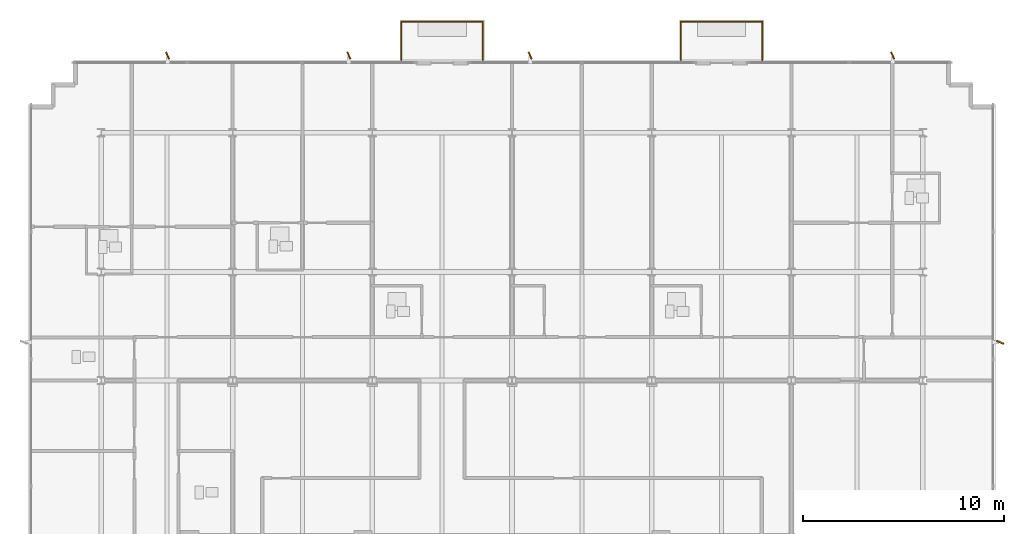
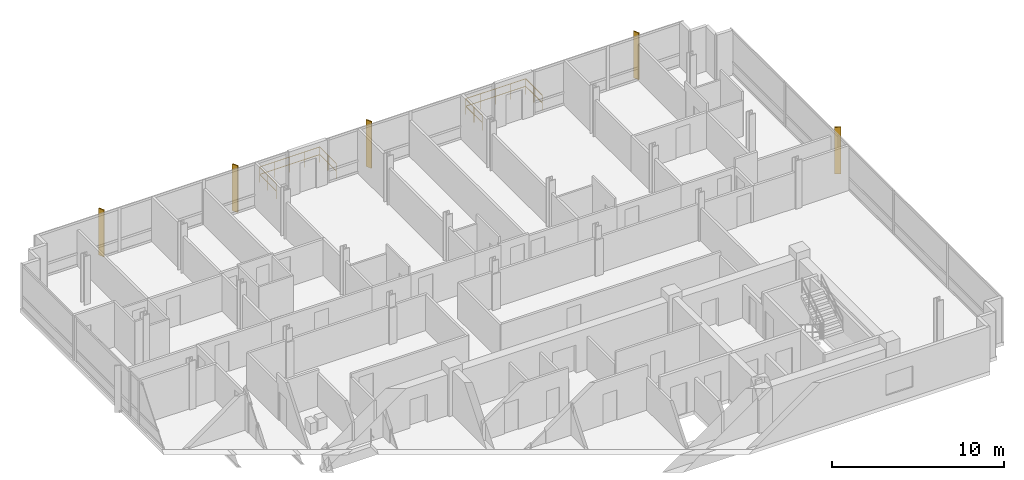
# One storey, part 13 of 14: 6 railings, 5 shading devices.
"""IFC4 building model written with IfcOpenShell, lengths in metres."""

from ifc_helpers import new_model, si_unit, direction, frame, origin, origin_2d, place, context, subcontext, project, spatial, rectangle, circle, extrude, material, layer, layer_set, type_object, element, save


model = new_model("IFC4")

# Units and contexts
model_context = context("Model", 3, precision=1e-05, world=origin(), true_north=direction((0.0, 1.0)))
body_context = subcontext(model_context, "Body", "Model", "MODEL_VIEW")
ifc_project = project(units=[si_unit("LENGTHUNIT", "METRE"), si_unit("AREAUNIT", "SQUARE_METRE"), si_unit("VOLUMEUNIT", "CUBIC_METRE"), si_unit("PLANEANGLEUNIT", "RADIAN"), si_unit("MASSUNIT", "GRAM", prefix="KILO")], contexts=[model_context])

# Site, building, storey
site_placement = place(None, origin())
site = spatial("IfcSite", under=ifc_project, at=site_placement, CompositionType="ELEMENT")
building_placement = place(site_placement, origin())
building = spatial("IfcBuilding", under=site, at=building_placement, Name="Solmavex Isthmus Hotel", CompositionType="ELEMENT")
storey_placement = place(building_placement, frame((0.0, 0.0, 248.85009765625)))
storey = spatial("IfcBuildingStorey", under=building, at=storey_placement, Name="L67", CompositionType="ELEMENT", Elevation=248.85009765625)

# Railings
ifc_material_1 = material(Name="Clear low-E laminated glass", Category="glass")
ifc_layer = layer(ifc_material_1, 0.070068359375)
ifc_layer_set = layer_set([ifc_layer], Name="Clear low-E laminated glass")
railing_type = type_object("IfcRailingType", Name="RAIL-GUARD-1100", PredefinedType="BALUSTRADE", material=ifc_layer_set)
railing_1_placement = place(storey_placement, frame((-5.488037109375, 21.300048828125, 0.0)))
element("IfcRailing", 1, at=railing_1_placement, inside=storey, type_object=railing_type, Name="Guardrail Balustrade L67-BAL1-01", PredefinedType="BALUSTRADE", context=body_context, shape_type="SweptSolid", body=[
    extrude(circle(Radius=0.02392578125, at=origin_2d()), frame((0.0, 0.0, 1.09619140625), z_axis=(0.0, 1.0, 0.0), x_axis=(-1.0, 0.0, 0.0)), (0.0, 0.0, 1.0), 1.919921875),
    extrude(circle(Radius=0.02392578125, at=origin_2d()), frame((0.0, 0.0, 0.56005859375), z_axis=(0.0, 1.0, 0.0), x_axis=(-1.0, 0.0, 0.0)), (0.0, 0.0, 1.0), 1.919921875),
    extrude(circle(Radius=0.02099609375, at=origin_2d()), origin(), (0.0, 0.0, 1.0), 1.072021484375),
    extrude(circle(Radius=0.02099609375, at=origin_2d()), frame((0.0, 0.9599609375, 0.0)), (0.0, 0.0, 1.0), 1.072021484375),
    extrude(circle(Radius=0.02099609375, at=origin_2d()), frame((0.0, 1.919921875, 0.0)), (0.0, 0.0, 1.0), 1.072021484375),
])
railing_2_placement = place(storey_placement, frame((-5.488037109375, 23.219970703125, 0.0)))
element("IfcRailing", 2, at=railing_2_placement, inside=storey, type_object=railing_type, Name="Guardrail Balustrade L67-BAL1-02", PredefinedType="BALUSTRADE", context=body_context, shape_type="SweptSolid", body=[
    extrude(circle(Radius=0.02392578125, at=origin_2d()), frame((0.0, 0.0, 1.09619140625), z_axis=(1.0, 0.0, 0.0), x_axis=(0.0, 1.0, 0.0)), (0.0, 0.0, 1.0), 4.0400390625),
    extrude(circle(Radius=0.02392578125, at=origin_2d()), frame((0.0, 0.0, 0.56005859375), z_axis=(1.0, 0.0, 0.0), x_axis=(0.0, 1.0, 0.0)), (0.0, 0.0, 1.0), 4.0400390625),
    extrude(circle(Radius=0.02099609375, at=origin_2d()), origin(), (0.0, 0.0, 1.0), 1.072021484375),
    extrude(circle(Radius=0.02099609375, at=origin_2d()), frame((1.010009765625, 0.0, 0.0)), (0.0, 0.0, 1.0), 1.072021484375),
    extrude(circle(Radius=0.02099609375, at=origin_2d()), frame((2.02001953125, 0.0, 0.0)), (0.0, 0.0, 1.0), 1.072021484375),
    extrude(circle(Radius=0.02099609375, at=origin_2d()), frame((3.030029296875, 0.0, 0.0)), (0.0, 0.0, 1.0), 1.072021484375),
    extrude(circle(Radius=0.02099609375, at=origin_2d()), frame((4.0400390625, 0.0, 0.0)), (0.0, 0.0, 1.0), 1.072021484375),
])
railing_3_placement = place(storey_placement, frame((-1.447998046875, 23.219970703125, 0.0)))
element("IfcRailing", 3, at=railing_3_placement, inside=storey, type_object=railing_type, Name="Guardrail Balustrade L67-BAL1-03", PredefinedType="BALUSTRADE", context=body_context, shape_type="SweptSolid", body=[
    extrude(circle(Radius=0.02392578125, at=origin_2d()), frame((0.0, 0.0, 1.09619140625), z_axis=(0.0, -1.0, 0.0), x_axis=(1.0, 0.0, 0.0)), (0.0, 0.0, 1.0), 1.919921875),
    extrude(circle(Radius=0.02392578125, at=origin_2d()), frame((0.0, 0.0, 0.56005859375), z_axis=(0.0, -1.0, 0.0), x_axis=(1.0, 0.0, 0.0)), (0.0, 0.0, 1.0), 1.919921875),
    extrude(circle(Radius=0.02099609375, at=origin_2d()), origin(), (0.0, 0.0, 1.0), 1.072021484375),
    extrude(circle(Radius=0.02099609375, at=origin_2d()), frame((0.0, -0.9599609375, 0.0)), (0.0, 0.0, 1.0), 1.072021484375),
    extrude(circle(Radius=0.02099609375, at=origin_2d()), frame((0.0, -1.919921875, 0.0)), (0.0, 0.0, 1.0), 1.072021484375),
])
railing_4_placement = place(storey_placement, frame((8.384033203125, 21.300048828125, 0.0)))
element("IfcRailing", 4, at=railing_4_placement, inside=storey, type_object=railing_type, Name="Guardrail Balustrade L67-BAL2-01", PredefinedType="BALUSTRADE", context=body_context, shape_type="SweptSolid", body=[
    extrude(circle(Radius=0.02392578125, at=origin_2d()), frame((0.0, 0.0, 1.09619140625), z_axis=(0.0, 1.0, 0.0), x_axis=(-1.0, 0.0, 0.0)), (0.0, 0.0, 1.0), 1.919921875),
    extrude(circle(Radius=0.02392578125, at=origin_2d()), frame((0.0, 0.0, 0.56005859375), z_axis=(0.0, 1.0, 0.0), x_axis=(-1.0, 0.0, 0.0)), (0.0, 0.0, 1.0), 1.919921875),
    extrude(circle(Radius=0.02099609375, at=origin_2d()), origin(), (0.0, 0.0, 1.0), 1.072021484375),
    extrude(circle(Radius=0.02099609375, at=origin_2d()), frame((0.0, 0.9599609375, 0.0)), (0.0, 0.0, 1.0), 1.072021484375),
    extrude(circle(Radius=0.02099609375, at=origin_2d()), frame((0.0, 1.919921875, 0.0)), (0.0, 0.0, 1.0), 1.072021484375),
])
railing_5_placement = place(storey_placement, frame((8.384033203125, 23.219970703125, 0.0)))
element("IfcRailing", 5, at=railing_5_placement, inside=storey, type_object=railing_type, Name="Guardrail Balustrade L67-BAL2-02", PredefinedType="BALUSTRADE", context=body_context, shape_type="SweptSolid", body=[
    extrude(circle(Radius=0.02392578125, at=origin_2d()), frame((0.0, 0.0, 1.09619140625), z_axis=(1.0, 0.0, 0.0), x_axis=(0.0, 1.0, 0.0)), (0.0, 0.0, 1.0), 4.0400390625),
    extrude(circle(Radius=0.02392578125, at=origin_2d()), frame((0.0, 0.0, 0.56005859375), z_axis=(1.0, 0.0, 0.0), x_axis=(0.0, 1.0, 0.0)), (0.0, 0.0, 1.0), 4.0400390625),
    extrude(circle(Radius=0.02099609375, at=origin_2d()), origin(), (0.0, 0.0, 1.0), 1.072021484375),
    extrude(circle(Radius=0.02099609375, at=origin_2d()), frame((1.010009765625, 0.0, 0.0)), (0.0, 0.0, 1.0), 1.072021484375),
    extrude(circle(Radius=0.02099609375, at=origin_2d()), frame((2.02001953125, 0.0, 0.0)), (0.0, 0.0, 1.0), 1.072021484375),
    extrude(circle(Radius=0.02099609375, at=origin_2d()), frame((3.030029296875, 0.0, 0.0)), (0.0, 0.0, 1.0), 1.072021484375),
    extrude(circle(Radius=0.02099609375, at=origin_2d()), frame((4.0400390625, 0.0, 0.0)), (0.0, 0.0, 1.0), 1.072021484375),
])
railing_6_placement = place(storey_placement, frame((12.424072265625, 23.219970703125, 0.0)))
element("IfcRailing", 6, at=railing_6_placement, inside=storey, type_object=railing_type, Name="Guardrail Balustrade L67-BAL2-03", PredefinedType="BALUSTRADE", context=body_context, shape_type="SweptSolid", body=[
    extrude(circle(Radius=0.02392578125, at=origin_2d()), frame((0.0, 0.0, 1.09619140625), z_axis=(0.0, -1.0, 0.0), x_axis=(1.0, 0.0, 0.0)), (0.0, 0.0, 1.0), 1.919921875),
    extrude(circle(Radius=0.02392578125, at=origin_2d()), frame((0.0, 0.0, 0.56005859375), z_axis=(0.0, -1.0, 0.0), x_axis=(1.0, 0.0, 0.0)), (0.0, 0.0, 1.0), 1.919921875),
    extrude(circle(Radius=0.02099609375, at=origin_2d()), origin(), (0.0, 0.0, 1.0), 1.072021484375),
    extrude(circle(Radius=0.02099609375, at=origin_2d()), frame((0.0, -0.9599609375, 0.0)), (0.0, 0.0, 1.0), 1.072021484375),
    extrude(circle(Radius=0.02099609375, at=origin_2d()), frame((0.0, -1.919921875, 0.0)), (0.0, 0.0, 1.0), 1.072021484375),
])

# Shading devices
ifc_material_2 = material(Name="Aluminium alloy 6063-T6", Category="aluminium")
shading_device_type = type_object("IfcShadingDeviceType", Name="SHD-FIN-CHAMP", PredefinedType="USERDEFINED", material=ifc_material_2)
for number, where, z_axis, x_axis, name in (
    (7, (-17.10009765625, 21.5400390625, -0.14013671875), (0.0, 0.0, 1.0), (-0.438371146789, 0.898794046299, 0.0), "Anodised Aluminium Solar Fin L67-N1"),
    (8, (-8.10009765625, 21.5400390625, -0.14013671875), (0.0, 0.0, 1.0), (-0.438371146789, 0.898794046299, 0.0), "Anodised Aluminium Solar Fin L67-N2"),
    (9, (0.89990234375, 21.5400390625, -0.14013671875), (0.0, 0.0, 1.0), (-0.438371146789, 0.898794046299, 0.0), "Anodised Aluminium Solar Fin L67-N3"),
    (10, (18.89990234375, 21.5400390625, -0.14013671875), (0.0, 0.0, 1.0), (-0.438371146789, 0.898794046299, 0.0), "Anodised Aluminium Solar Fin L67-N4"),
    (11, (24.239990234375, 7.300048828125, -0.14013671875), (0.0, 0.0, 1.0), (0.913545457643, -0.406736643076, 0.0), "Anodised Aluminium Solar Fin L67-E1"),
):
    element("IfcShadingDevice", number, at=place(storey_placement, frame(where, z_axis=z_axis, x_axis=x_axis)), inside=storey, type_object=shading_device_type, Name=name, ObjectType="SOLAR_FIN", PredefinedType="USERDEFINED", context=body_context, shape_type="SweptSolid", body=[
        extrude(rectangle(XDim=0.3798828125, YDim=0.070068359375, at=origin_2d()), origin(), (0.0, 0.0, 1.0), 3.330078125),
    ])

save(model, "model.ifc")
